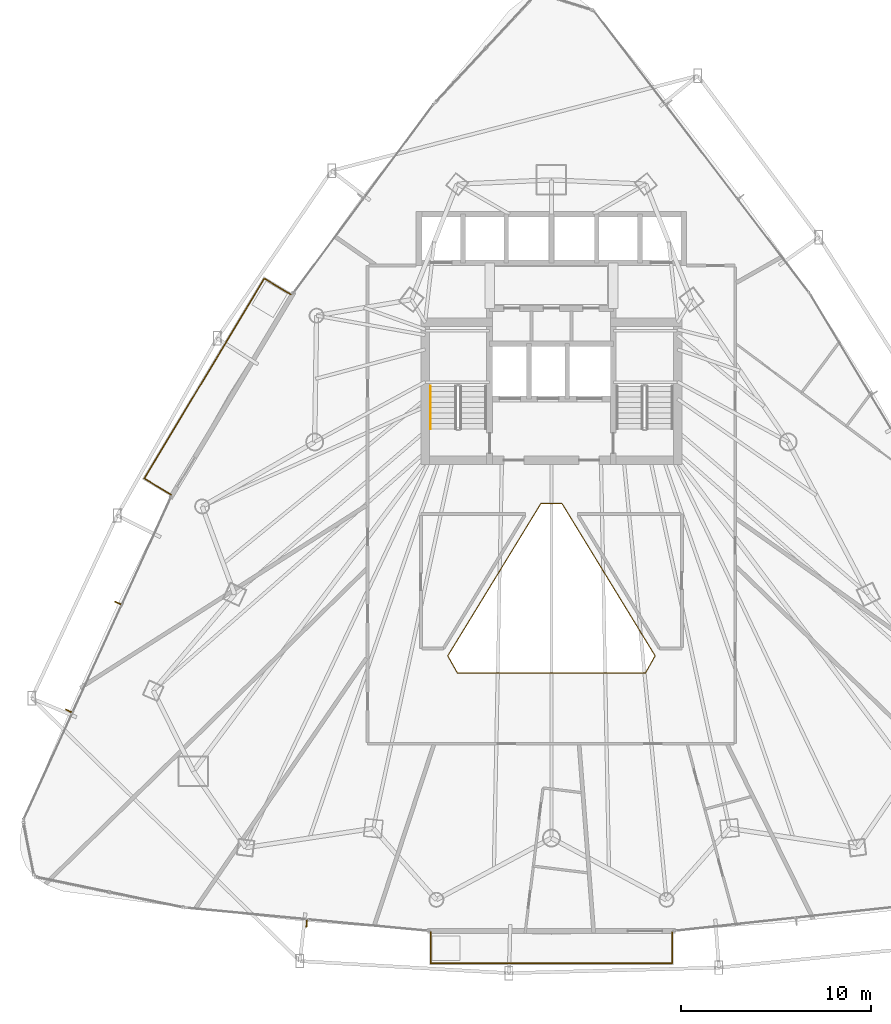
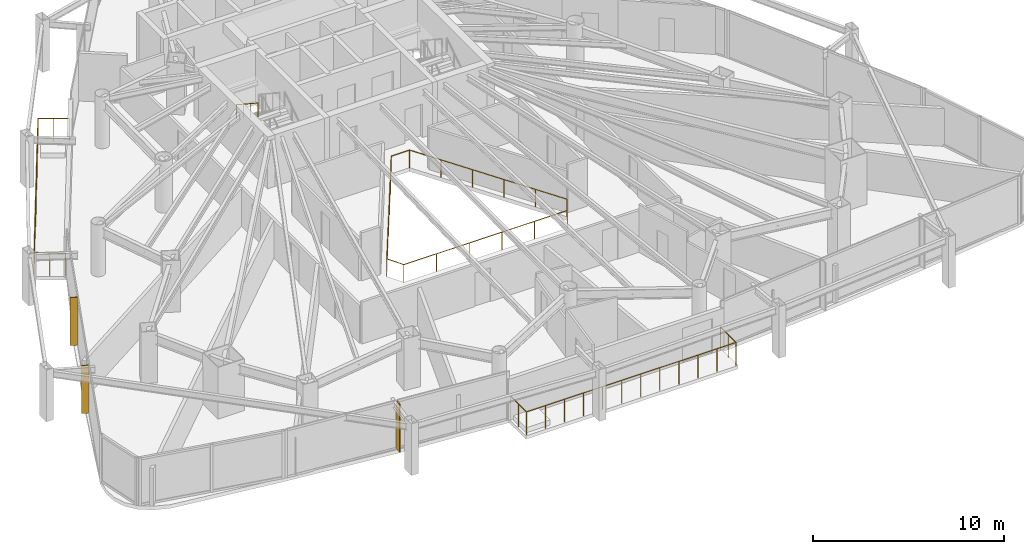
# One storey, part 32 of 34: 4 railings, 3 shading devices.
"""IFC4 building model written with IfcOpenShell, lengths in metres."""

from ifc_helpers import new_model, si_unit, direction, frame, origin, origin_2d, place, context, subcontext, project, spatial, rectangle, circle, extrude, material, layer, layer_set, type_object, element, save


model = new_model("IFC4")

# Units and contexts
model_context = context("Model", 3, precision=1e-05, world=origin(), true_north=direction((0.0, 1.0)))
body_context = subcontext(model_context, "Body", "Model", "MODEL_VIEW")
ifc_project = project(units=[si_unit("LENGTHUNIT", "METRE"), si_unit("AREAUNIT", "SQUARE_METRE"), si_unit("VOLUMEUNIT", "CUBIC_METRE"), si_unit("PLANEANGLEUNIT", "RADIAN"), si_unit("MASSUNIT", "GRAM", prefix="KILO")], contexts=[model_context])

# Site, building, storey
site_placement = place(None, origin())
site = spatial("IfcSite", under=ifc_project, at=site_placement, CompositionType="ELEMENT")
building_placement = place(site_placement, origin())
building = spatial("IfcBuilding", under=site, at=building_placement, Name="Orvanel Arch Residences", CompositionType="ELEMENT")
storey_placement = place(building_placement, frame((0.0, 0.0, 67.550048828125)))
storey = spatial("IfcBuildingStorey", under=building, at=storey_placement, Name="L18", CompositionType="ELEMENT", Elevation=67.550048828125)

# Shading devices
ifc_material_1 = material(Name="Bronze-anodised aluminium AA6063-T6", Category="aluminium")
ifc_layer = layer(ifc_material_1, 0.06005859375)
ifc_layer_set = layer_set([ifc_layer], Name="Bronze-anodised aluminium AA6063-T6")
shading_device_type = type_object("IfcShadingDeviceType", Name="FIN-BRZ-380", PredefinedType="USERDEFINED", material=ifc_layer_set)
for number, where, z_axis, x_axis, name in (
    (1, (10.24609375, 19.18408203125, 0.0), (0.0, 0.0, 1.0), (-0.909236109047, 0.41628079226, 0.0), "L18 Anodised Bronze Mullion FIN 01"),
    (2, (7.656982421875, 13.51904296875, 0.0), (0.0, 0.0, 1.0), (-0.909236109047, 0.41628079226, 0.0), "L18 Anodised Bronze Mullion FIN 02"),
    (3, (20.153076171875, 2.361083984375, 0.0), (0.0, 0.0, 1.0), (-0.094108313319, -0.995561964603, 0.0), "L18 Anodised Bronze Mullion FIN 01"),
):
    element("IfcShadingDevice", number, at=place(storey_placement, frame(where, z_axis=z_axis, x_axis=x_axis)), inside=storey, type_object=shading_device_type, Name=name, ObjectType="FIN", PredefinedType="USERDEFINED", context=body_context, shape_type="SweptSolid", body=[
        extrude(rectangle(XDim=0.3798828125, YDim=0.06005859375, at=origin_2d()), origin(), (0.0, 0.0, 1.0), 3.06005859375),
    ])

# Railings
railing_type_1 = type_object("IfcRailingType", Name="RL-ATR-1150", PredefinedType="BALUSTRADE", material=ifc_material_1)
railing_1_placement = place(storey_placement, frame((33.551025390625, 24.409912109375, 0.0)))
element("IfcRailing", 4, at=railing_1_placement, inside=storey, type_object=railing_type_1, Name="L18 Atrium Void Protective Balustrade", PredefinedType="BALUSTRADE", context=body_context, shape_type="SweptSolid", body=[
    extrude(circle(Radius=0.02392578125, at=origin_2d()), frame((-0.00146484375, 0.0, 1.1259765625), z_axis=(-1.0, 0.0, 0.0), x_axis=(0.0, -1.0, 0.0)), (0.0, 0.0, 1.0), 1.09912109375),
    extrude(circle(Radius=0.02392578125, at=origin_2d()), frame((-1.102783203125, -0.001220703125, 1.1259765625), z_axis=(-0.521602774539, -0.853188458427, 0.0), x_axis=(0.853188458427, -0.521602774539, 0.0)), (0.0, 0.0, 1.0), 9.369873046875),
    extrude(circle(Radius=0.02392578125, at=origin_2d()), frame((-5.990234375, -7.998046875, 1.1259765625), z_axis=(0.488387613231, -0.872626804105, 0.0), x_axis=(0.872626804105, 0.488387613231, 0.0)), (0.0, 0.0, 1.0), 1.03076171875),
    extrude(circle(Radius=0.02392578125, at=origin_2d()), frame((-5.484619140625, -8.89892578125, 1.1259765625), z_axis=(1.0, 0.0, 0.0), x_axis=(0.0, 1.0, 0.0)), (0.0, 0.0, 1.0), 9.8671875),
    extrude(circle(Radius=0.02392578125, at=origin_2d()), frame((4.384765625, -8.897705078125, 1.1259765625), z_axis=(0.488387613231, 0.872626804105, 0.0), x_axis=(-0.872626804105, 0.488387613231, 0.0)), (0.0, 0.0, 1.0), 1.03076171875),
    extrude(circle(Radius=0.02392578125, at=origin_2d()), frame((4.88818359375, -7.99560546875, 1.1259765625), z_axis=(-0.521602774539, 0.853188458427, 0.0), x_axis=(-0.853188458427, -0.521602774539, 0.0)), (0.0, 0.0, 1.0), 9.369873046875),
    extrude(circle(Radius=0.02099609375, at=origin_2d()), origin(), (0.0, 0.0, 1.0), 1.099853515625),
    extrude(circle(Radius=0.02099609375, at=origin_2d()), frame((-1.10205078125, 0.0, 0.0)), (0.0, 0.0, 1.0), 1.099853515625),
    extrude(circle(Radius=0.02099609375, at=origin_2d()), frame((-2.079833984375, -1.599365234375, 0.0)), (0.0, 0.0, 1.0), 1.099853515625),
    extrude(circle(Radius=0.02099609375, at=origin_2d()), frame((-3.0576171875, -3.19873046875, 0.0)), (0.0, 0.0, 1.0), 1.099853515625),
    extrude(circle(Radius=0.02099609375, at=origin_2d()), frame((-4.035400390625, -4.798095703125, 0.0)), (0.0, 0.0, 1.0), 1.099853515625),
    extrude(circle(Radius=0.02099609375, at=origin_2d()), frame((-5.01318359375, -6.3974609375, 0.0)), (0.0, 0.0, 1.0), 1.099853515625),
    extrude(circle(Radius=0.02099609375, at=origin_2d()), frame((-5.990966796875, -7.996826171875, 0.0)), (0.0, 0.0, 1.0), 1.099853515625),
    extrude(circle(Radius=0.02099609375, at=origin_2d()), frame((-5.486083984375, -8.89892578125, 0.0)), (0.0, 0.0, 1.0), 1.099853515625),
    extrude(circle(Radius=0.02099609375, at=origin_2d()), frame((-3.511962890625, -8.89892578125, 0.0)), (0.0, 0.0, 1.0), 1.099853515625),
    extrude(circle(Radius=0.02099609375, at=origin_2d()), frame((-1.5380859375, -8.89892578125, 0.0)), (0.0, 0.0, 1.0), 1.099853515625),
    extrude(circle(Radius=0.02099609375, at=origin_2d()), frame((0.43603515625, -8.89892578125, 0.0)), (0.0, 0.0, 1.0), 1.099853515625),
    extrude(circle(Radius=0.02099609375, at=origin_2d()), frame((2.409912109375, -8.89892578125, 0.0)), (0.0, 0.0, 1.0), 1.099853515625),
    extrude(circle(Radius=0.02099609375, at=origin_2d()), frame((4.384033203125, -8.89892578125, 0.0)), (0.0, 0.0, 1.0), 1.099853515625),
    extrude(circle(Radius=0.02099609375, at=origin_2d()), frame((4.888916015625, -7.996826171875, 0.0)), (0.0, 0.0, 1.0), 1.099853515625),
    extrude(circle(Radius=0.02099609375, at=origin_2d()), frame((3.9111328125, -6.3974609375, 0.0)), (0.0, 0.0, 1.0), 1.099853515625),
    extrude(circle(Radius=0.02099609375, at=origin_2d()), frame((2.933349609375, -4.798095703125, 0.0)), (0.0, 0.0, 1.0), 1.099853515625),
    extrude(circle(Radius=0.02099609375, at=origin_2d()), frame((1.95556640625, -3.19873046875, 0.0)), (0.0, 0.0, 1.0), 1.099853515625),
    extrude(circle(Radius=0.02099609375, at=origin_2d()), frame((0.977783203125, -1.599365234375, 0.0)), (0.0, 0.0, 1.0), 1.099853515625),
])
railing_type_2 = type_object("IfcRailingType", Name="RL-BAL-1480", PredefinedType="BALUSTRADE", material=ifc_material_1)
railing_2_placement = place(storey_placement, frame((19.330078125, 35.37890625, 0.0)))
element("IfcRailing", 5, at=railing_2_placement, inside=storey, type_object=railing_type_2, Name="L18 Balcony Perimeter Guardrail Face 1", PredefinedType="BALUSTRADE", context=body_context, shape_type="SweptSolid", body=[
    extrude(circle(Radius=0.02392578125, at=origin_2d()), frame((-0.001220703125, 0.000732421875, 1.4560546875), z_axis=(-0.857387817543, 0.514670895164, 0.0), x_axis=(-0.514670895164, -0.857387817543, 0.0)), (0.0, 0.0, 1.0), 1.636962890625),
    extrude(circle(Radius=0.02392578125, at=origin_2d()), frame((-1.40673828125, 0.8427734375, 1.4560546875), z_axis=(-0.514393151016, -0.857554480012, 0.0), x_axis=(0.857554480012, -0.514393151016, 0.0)), (0.0, 0.0, 1.0), 12.24462890625),
    extrude(circle(Radius=0.02392578125, at=origin_2d()), frame((-7.704833984375, -9.65966796875, 1.4560546875), z_axis=(0.857545439568, -0.514408222208, 0.0), x_axis=(0.514408222208, 0.857545439568, 0.0)), (0.0, 0.0, 1.0), 1.6376953125),
    extrude(circle(Radius=0.02099609375, at=origin_2d()), origin(), (0.0, 0.0, 1.0), 1.429931640625),
    extrude(circle(Radius=0.02099609375, at=origin_2d()), frame((-0.703125, 0.421875, 0.0)), (0.0, 0.0, 1.0), 1.429931640625),
    extrude(circle(Radius=0.02099609375, at=origin_2d()), frame((-1.406005859375, 0.843994140625, 0.0)), (0.0, 0.0, 1.0), 1.429931640625),
    extrude(circle(Radius=0.02099609375, at=origin_2d()), frame((-1.978759765625, -0.11083984375, 0.0)), (0.0, 0.0, 1.0), 1.429931640625),
    extrude(circle(Radius=0.02099609375, at=origin_2d()), frame((-2.551513671875, -1.065673828125, 0.0)), (0.0, 0.0, 1.0), 1.429931640625),
    extrude(circle(Radius=0.02099609375, at=origin_2d()), frame((-3.124267578125, -2.0205078125, 0.0)), (0.0, 0.0, 1.0), 1.429931640625),
    extrude(circle(Radius=0.02099609375, at=origin_2d()), frame((-3.697021484375, -2.975341796875, 0.0)), (0.0, 0.0, 1.0), 1.429931640625),
    extrude(circle(Radius=0.02099609375, at=origin_2d()), frame((-4.269775390625, -3.93017578125, 0.0)), (0.0, 0.0, 1.0), 1.429931640625),
    extrude(circle(Radius=0.02099609375, at=origin_2d()), frame((-4.84228515625, -4.884765625, 0.0)), (0.0, 0.0, 1.0), 1.429931640625),
    extrude(circle(Radius=0.02099609375, at=origin_2d()), frame((-5.4150390625, -5.839599609375, 0.0)), (0.0, 0.0, 1.0), 1.429931640625),
    extrude(circle(Radius=0.02099609375, at=origin_2d()), frame((-5.98779296875, -6.79443359375, 0.0)), (0.0, 0.0, 1.0), 1.429931640625),
    extrude(circle(Radius=0.02099609375, at=origin_2d()), frame((-6.560546875, -7.749267578125, 0.0)), (0.0, 0.0, 1.0), 1.429931640625),
    extrude(circle(Radius=0.02099609375, at=origin_2d()), frame((-7.13330078125, -8.7041015625, 0.0)), (0.0, 0.0, 1.0), 1.429931640625),
    extrude(circle(Radius=0.02099609375, at=origin_2d()), frame((-7.7060546875, -9.658935546875, 0.0)), (0.0, 0.0, 1.0), 1.429931640625),
    extrude(circle(Radius=0.02099609375, at=origin_2d()), frame((-7.00244140625, -10.0810546875, 0.0)), (0.0, 0.0, 1.0), 1.429931640625),
    extrude(circle(Radius=0.02099609375, at=origin_2d()), frame((-6.299072265625, -10.5029296875, 0.0)), (0.0, 0.0, 1.0), 1.429931640625),
])
railing_3_placement = place(storey_placement, frame((26.6669921875, 1.906005859375, 0.0)))
element("IfcRailing", 6, at=railing_3_placement, inside=storey, type_object=railing_type_2, Name="L18 Balcony Perimeter Guardrail Face 2", PredefinedType="BALUSTRADE", context=body_context, shape_type="SweptSolid", body=[
    extrude(circle(Radius=0.02392578125, at=origin_2d()), frame((0.0, -0.00146484375, 1.4560546875), z_axis=(0.0, -1.0, 0.0), x_axis=(1.0, 0.0, 0.0)), (0.0, 0.0, 1.0), 1.636962890625),
    extrude(circle(Radius=0.02392578125, at=origin_2d()), frame((0.00146484375, -1.639892578125, 1.4560546875), z_axis=(1.0, 0.0, 0.0), x_axis=(0.0, 1.0, 0.0)), (0.0, 0.0, 1.0), 12.6630859375),
    extrude(circle(Radius=0.02392578125, at=origin_2d()), frame((12.666015625, -1.638427734375, 1.4560546875), z_axis=(0.0, 1.0, 0.0), x_axis=(-1.0, 0.0, 0.0)), (0.0, 0.0, 1.0), 1.636962890625),
    extrude(circle(Radius=0.02099609375, at=origin_2d()), origin(), (0.0, 0.0, 1.0), 1.429931640625),
    extrude(circle(Radius=0.02099609375, at=origin_2d()), frame((0.0, -0.81982421875, 0.0)), (0.0, 0.0, 1.0), 1.429931640625),
    extrude(circle(Radius=0.02099609375, at=origin_2d()), frame((0.0, -1.639892578125, 0.0)), (0.0, 0.0, 1.0), 1.429931640625),
    extrude(circle(Radius=0.02099609375, at=origin_2d()), frame((1.1513671875, -1.639892578125, 0.0)), (0.0, 0.0, 1.0), 1.429931640625),
    extrude(circle(Radius=0.02099609375, at=origin_2d()), frame((2.302978515625, -1.639892578125, 0.0)), (0.0, 0.0, 1.0), 1.429931640625),
    extrude(circle(Radius=0.02099609375, at=origin_2d()), frame((3.454345703125, -1.639892578125, 0.0)), (0.0, 0.0, 1.0), 1.429931640625),
    extrude(circle(Radius=0.02099609375, at=origin_2d()), frame((4.605712890625, -1.639892578125, 0.0)), (0.0, 0.0, 1.0), 1.429931640625),
    extrude(circle(Radius=0.02099609375, at=origin_2d()), frame((5.75732421875, -1.639892578125, 0.0)), (0.0, 0.0, 1.0), 1.429931640625),
    extrude(circle(Radius=0.02099609375, at=origin_2d()), frame((6.90869140625, -1.639892578125, 0.0)), (0.0, 0.0, 1.0), 1.429931640625),
    extrude(circle(Radius=0.02099609375, at=origin_2d()), frame((8.060302734375, -1.639892578125, 0.0)), (0.0, 0.0, 1.0), 1.429931640625),
    extrude(circle(Radius=0.02099609375, at=origin_2d()), frame((9.211669921875, -1.639892578125, 0.0)), (0.0, 0.0, 1.0), 1.429931640625),
    extrude(circle(Radius=0.02099609375, at=origin_2d()), frame((10.363037109375, -1.639892578125, 0.0)), (0.0, 0.0, 1.0), 1.429931640625),
    extrude(circle(Radius=0.02099609375, at=origin_2d()), frame((11.5146484375, -1.639892578125, 0.0)), (0.0, 0.0, 1.0), 1.429931640625),
    extrude(circle(Radius=0.02099609375, at=origin_2d()), frame((12.666015625, -1.639892578125, 0.0)), (0.0, 0.0, 1.0), 1.429931640625),
    extrude(circle(Radius=0.02099609375, at=origin_2d()), frame((12.666015625, -0.81982421875, 0.0)), (0.0, 0.0, 1.0), 1.429931640625),
    extrude(circle(Radius=0.02099609375, at=origin_2d()), frame((12.666015625, 0.0, 0.0)), (0.0, 0.0, 1.0), 1.429931640625),
])
ifc_material_2 = material(Name="Structural steel AS/NZS 1163 C350L0 (Grade 350)", Category="steel")
railing_type_3 = type_object("IfcRailingType", Name="RL-STAIR-HAND", PredefinedType="HANDRAIL", material=ifc_material_2)
railing_4_placement = place(storey_placement, frame((26.64990234375, 30.56005859375, 1.833251953125)))
element("IfcRailing", 7, at=railing_4_placement, inside=storey, type_object=railing_type_3, Name="L18 ST-1 stair handrail 2", PredefinedType="HANDRAIL", context=body_context, shape_type="SweptSolid", body=[
    extrude(circle(Radius=0.02392578125, at=origin_2d()), frame((0.0, -0.001220703125, 0.876708984375), z_axis=(0.0, -0.836595146698, 0.547821650285), x_axis=(1.0, 0.0, 0.0)), (0.0, 0.0, 1.0), 2.674560546875),
    extrude(circle(Radius=0.02099609375, at=origin_2d()), origin(), (0.0, 0.0, 1.0), 0.849853515625),
    extrude(circle(Radius=0.02099609375, at=origin_2d()), frame((0.0, -0.74658203125, 0.489013671875)), (0.0, 0.0, 1.0), 0.849853515625),
    extrude(circle(Radius=0.02099609375, at=origin_2d()), frame((0.0, -1.493408203125, 0.977783203125)), (0.0, 0.0, 1.0), 0.849853515625),
    extrude(circle(Radius=0.02099609375, at=origin_2d()), frame((0.0, -2.239990234375, 1.466796875)), (0.0, 0.0, 1.0), 0.849853515625),
])

save(model, "model.ifc")
